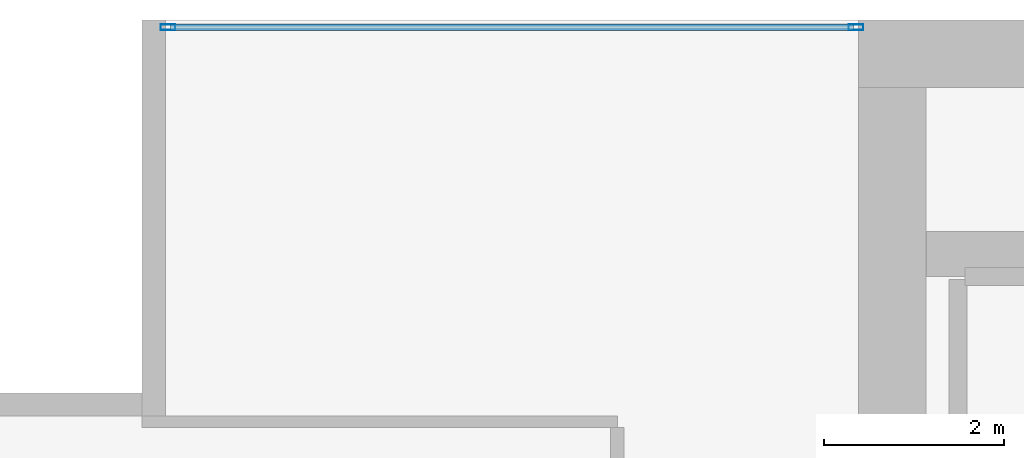
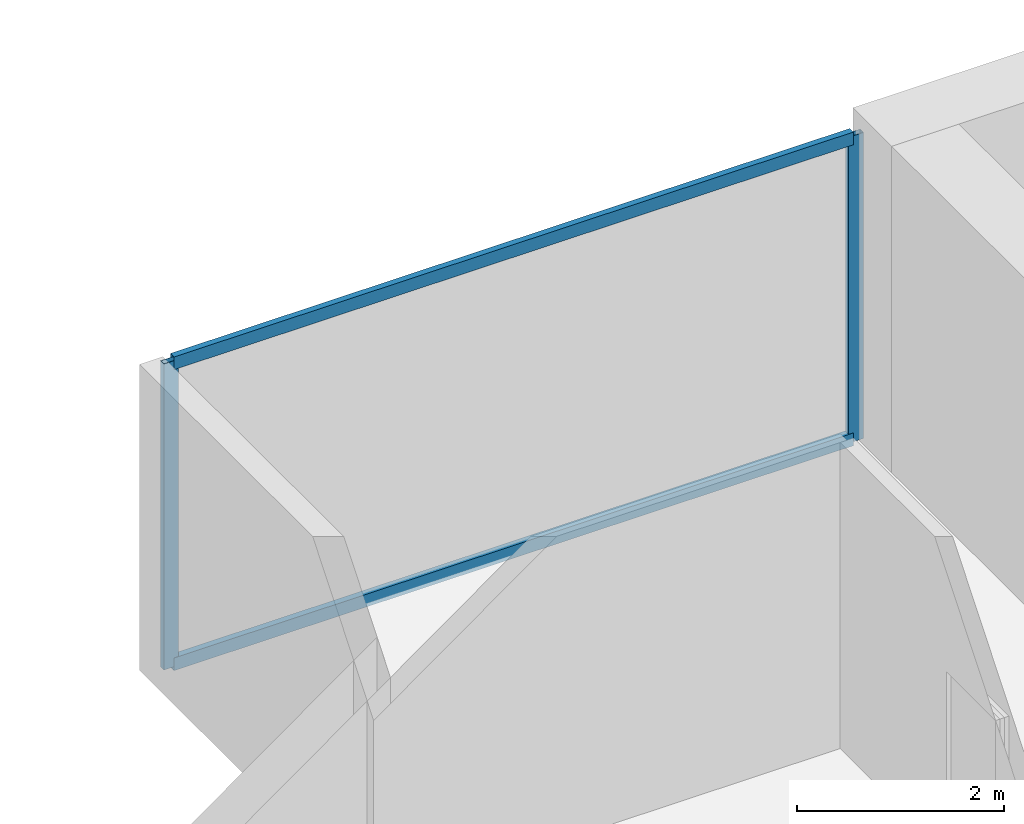
# One storey, part 22 of 33: 4 members, 1 element without a shape of its own.
"""IFC4 building model written with IfcOpenShell, lengths in metres."""

from ifc_helpers import new_model, si_unit, direction, frame, origin, origin_2d, place, context, subcontext, project, spatial, hollow_rectangle, extrude, material, layer, layer_set, material_profile, profile_set, type_object, element, aggregate, save


model = new_model("IFC4")

# Units and contexts
model_context = context("Model", 3, precision=1e-05, world=origin(), true_north=direction((0.0, 1.0)))
body_context = subcontext(model_context, "Body", "Model", "MODEL_VIEW")
ifc_project = project(units=[si_unit("LENGTHUNIT", "METRE"), si_unit("AREAUNIT", "SQUARE_METRE"), si_unit("VOLUMEUNIT", "CUBIC_METRE"), si_unit("PLANEANGLEUNIT", "RADIAN"), si_unit("MASSUNIT", "GRAM", prefix="KILO")], contexts=[model_context])

# Site, building, storey
site_placement = place(None, origin())
site = spatial("IfcSite", under=ifc_project, at=site_placement, CompositionType="ELEMENT")
building_placement = place(site_placement, origin())
building = spatial("IfcBuilding", under=site, at=building_placement, Name="Maruvema Waterfront Hotel and Observation Tower", CompositionType="ELEMENT")
storey_placement = place(building_placement, frame((0.0, 0.0, 158.199951171875)))
storey = spatial("IfcBuildingStorey", under=building, at=storey_placement, Name="L38", CompositionType="ELEMENT", Elevation=158.199951171875)

# Curtain wall, members
ifc_material_1 = material(Name="Anodised bronze aluminium and solar-control low-E IGU", Category="aluminium")
ifc_layer = layer(ifc_material_1, 0.159912109375, Name="Zone 2 Amber Inner Thermal Curtain Wall System CW-03")
ifc_layer_set = layer_set([ifc_layer], Name="Anodised bronze aluminium and solar-control low-E IGU")
curtain_wall_type = type_object("IfcCurtainWallType", Name="Zone 2 Amber Inner Thermal Curtain Wall System CW-03", PredefinedType="USERDEFINED", material=ifc_layer_set)
curtain_wall_placement = place(storey_placement, origin())
curtain_wall = element("IfcCurtainWall", 1, at=curtain_wall_placement, inside=storey, type_object=curtain_wall_type, Name="L38 Curtain Wall CW-L38-NW", ObjectType="UNITISED CURTAIN WALL", PredefinedType="USERDEFINED")
ifc_material_2 = material(Name="Anodised architectural bronze aluminium", Category="aluminium")
ifc_material_profile_1 = material_profile(ifc_material_2, hollow_rectangle(XDim=0.070068359375, YDim=0.14990234375, WallThickness=0.00390625, at=origin_2d()), Name="ALU-T70x150")
ifc_profile_set_1 = profile_set([ifc_material_profile_1], Name="Anodised architectural bronze aluminium")
member_type_1 = type_object("IfcMemberType", Name="Curtain Wall Horizontal Transom ALU-T70x150", PredefinedType="USERDEFINED", material=ifc_profile_set_1)
member_1_placement = place(storey_placement, frame((25.139892578125, 53.919921875, 0.030029296875), z_axis=(-1.0, 0.0, 0.0), x_axis=(0.0, -1.0, 0.0)))
member_1 = element("IfcMember", 2, at=member_1_placement, type_object=member_type_1, Name="CW-03 transom 1.1", ObjectType="TRANSOM", PredefinedType="USERDEFINED", context=body_context, shape_type="SweptSolid", body=[
    extrude(hollow_rectangle(XDim=0.070068359375, YDim=0.14990234375, WallThickness=0.00390625, at=origin_2d()), origin(), (0.0, 0.0, 1.0), 7.579833984375),
])
member_2_placement = place(storey_placement, frame((25.139892578125, 53.919921875, 3.580078125), z_axis=(-1.0, 0.0, 0.0), x_axis=(0.0, -1.0, 0.0)))
member_2 = element("IfcMember", 3, at=member_2_placement, type_object=member_type_1, Name="CW-03 transom 1.2", ObjectType="TRANSOM", PredefinedType="USERDEFINED", context=body_context, shape_type="SweptSolid", body=[
    extrude(hollow_rectangle(XDim=0.070068359375, YDim=0.14990234375, WallThickness=0.00390625, at=origin_2d()), origin(), (0.0, 0.0, 1.0), 7.579833984375),
])
ifc_material_3 = material(Name="Anodised architectural bronze aluminium", Category="aluminium")
ifc_material_profile_2 = material_profile(ifc_material_3, hollow_rectangle(XDim=0.06494140625, YDim=0.1650390625, WallThickness=0.00390625, at=origin_2d()), Name="ALU-M65x165")
ifc_profile_set_2 = profile_set([ifc_material_profile_2], Name="Anodised architectural bronze aluminium")
member_type_2 = type_object("IfcMemberType", Name="Curtain Wall Primary Mullion ALU-M65x165", PredefinedType="MULLION", material=ifc_profile_set_2)
member_3_placement = place(storey_placement, frame((25.169921875, 53.919921875, 0.0), z_axis=(0.0, 0.0, 1.0), x_axis=(0.0, -1.0, 0.0)))
member_3 = element("IfcMember", 4, at=member_3_placement, type_object=member_type_2, Name="CW-03 mullion 1", PredefinedType="MULLION", context=body_context, shape_type="SweptSolid", body=[
    extrude(hollow_rectangle(XDim=0.06494140625, YDim=0.1650390625, WallThickness=0.00390625, at=origin_2d()), origin(), (0.0, 0.0, 1.0), 3.610107421875),
])
member_4_placement = place(storey_placement, frame((17.530029296875, 53.919921875, 0.0), z_axis=(0.0, 0.0, 1.0), x_axis=(0.0, -1.0, 0.0)))
member_4 = element("IfcMember", 5, at=member_4_placement, type_object=member_type_2, Name="CW-03 mullion 2", PredefinedType="MULLION", context=body_context, shape_type="SweptSolid", body=[
    extrude(hollow_rectangle(XDim=0.06494140625, YDim=0.1650390625, WallThickness=0.00390625, at=origin_2d()), origin(), (0.0, 0.0, 1.0), 3.610107421875),
])
aggregate(curtain_wall, [member_3, member_4, member_1, member_2])

save(model, "model.ifc")
